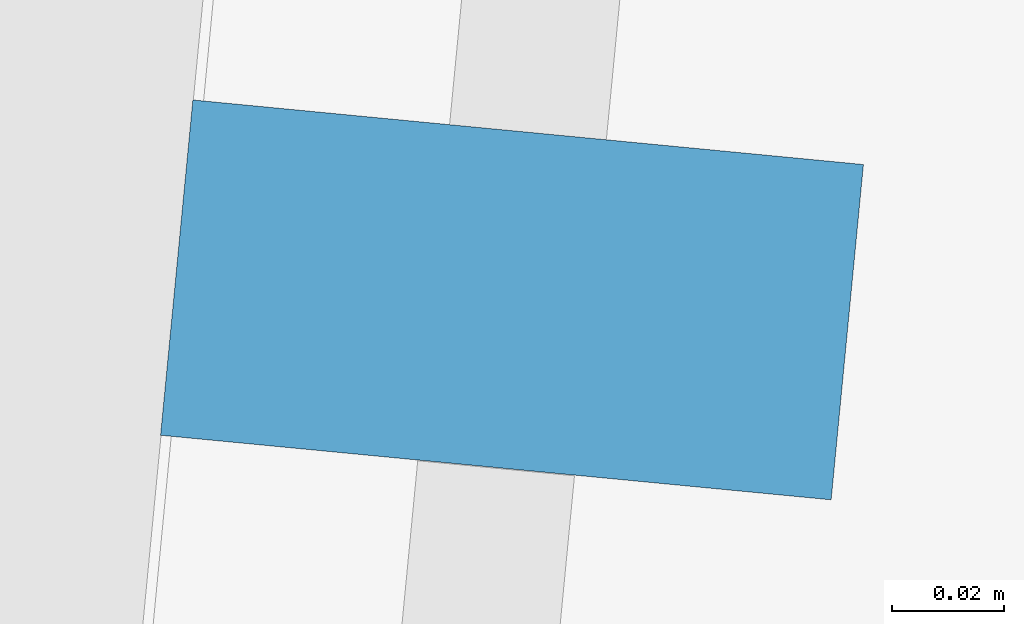
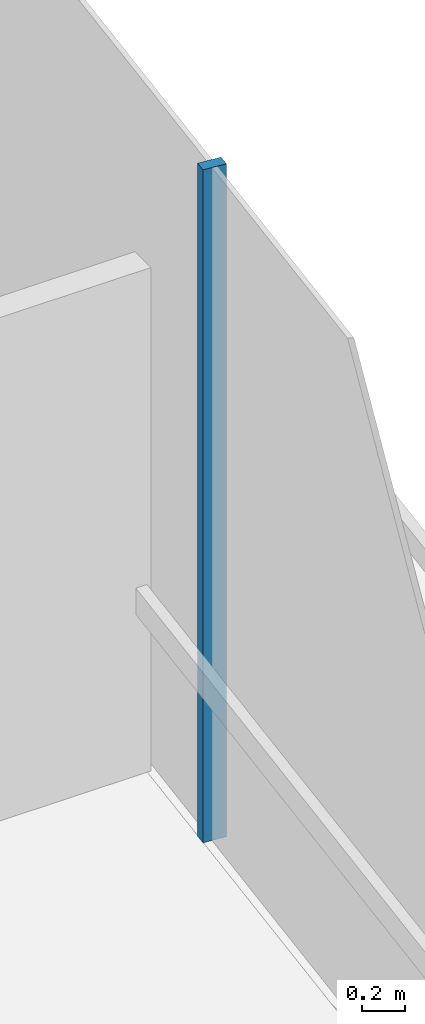
# One storey, part 13 of 23: 1 member, 1 element without a shape of its own.
"""IFC4 building model written with IfcOpenShell, lengths in metres."""

from ifc_helpers import new_model, si_unit, direction, frame, origin, origin_2d, place, context, subcontext, project, spatial, rectangle, extrude, material, layer, layer_set, material_profile, profile_set, type_object, element, aggregate, save


model = new_model("IFC4")

# Units and contexts
model_context = context("Model", 3, precision=1e-05, world=origin(), true_north=direction((0.0, 1.0)))
body_context = subcontext(model_context, "Body", "Model", "MODEL_VIEW")
ifc_project = project(units=[si_unit("LENGTHUNIT", "METRE"), si_unit("AREAUNIT", "SQUARE_METRE"), si_unit("VOLUMEUNIT", "CUBIC_METRE"), si_unit("PLANEANGLEUNIT", "RADIAN"), si_unit("MASSUNIT", "GRAM", prefix="KILO")], contexts=[model_context])

# Site, building, storey
site_placement = place(None, origin())
site = spatial("IfcSite", under=ifc_project, at=site_placement, CompositionType="ELEMENT")
building_placement = place(site_placement, origin())
building = spatial("IfcBuilding", under=site, at=building_placement, Name="Welwitschia Terrace Campus", CompositionType="ELEMENT")
storey_placement = place(building_placement, frame((0.0, 0.0, 146.60009765625)))
storey = spatial("IfcBuildingStorey", under=building, at=storey_placement, Name="L32", CompositionType="ELEMENT", Elevation=146.60009765625)

# Curtain wall, member
ifc_material_1 = material(Name="Bronze anodised aluminium", Category="aluminium")
ifc_layer = layer(ifc_material_1, 0.1201171875)
ifc_layer_set = layer_set([ifc_layer], Name="Bronze anodised aluminium")
curtain_wall_type = type_object("IfcCurtainWallType", Name="Curtain wall CW2 tower 6000", PredefinedType="NOTDEFINED", material=ifc_layer_set)
curtain_wall_placement = place(storey_placement, origin())
curtain_wall = element("IfcCurtainWall", 1, at=curtain_wall_placement, inside=storey, type_object=curtain_wall_type, Name="CW L32.12.0", PredefinedType="NOTDEFINED")
ifc_material_2 = material(Name="Bronze anodised aluminium", Category="aluminium")
ifc_material_profile = material_profile(ifc_material_2, rectangle(XDim=0.1201171875, YDim=0.06005859375, at=origin_2d()))
ifc_profile_set = profile_set([ifc_material_profile], Name="Bronze anodised aluminium")
member_type = type_object("IfcMemberType", Name="Mullion 60x120", PredefinedType="MULLION", material=ifc_profile_set)
member_placement = place(storey_placement, frame((26.810302734375, 44.318359375, 0.0), z_axis=(0.0, 0.0, 1.0), x_axis=(-0.995396198367, 0.09584575252, 0.0)))
member = element("IfcMember", 2, at=member_placement, type_object=member_type, Name="Mullion L32.12.0.3", PredefinedType="MULLION", context=body_context, shape_type="SweptSolid", body=[
    extrude(rectangle(XDim=0.1201171875, YDim=0.06005859375, at=origin_2d()), origin(), (0.0, 0.0, 1.0), 3.849853515625),
])
aggregate(curtain_wall, [member])

save(model, "model.ifc")
